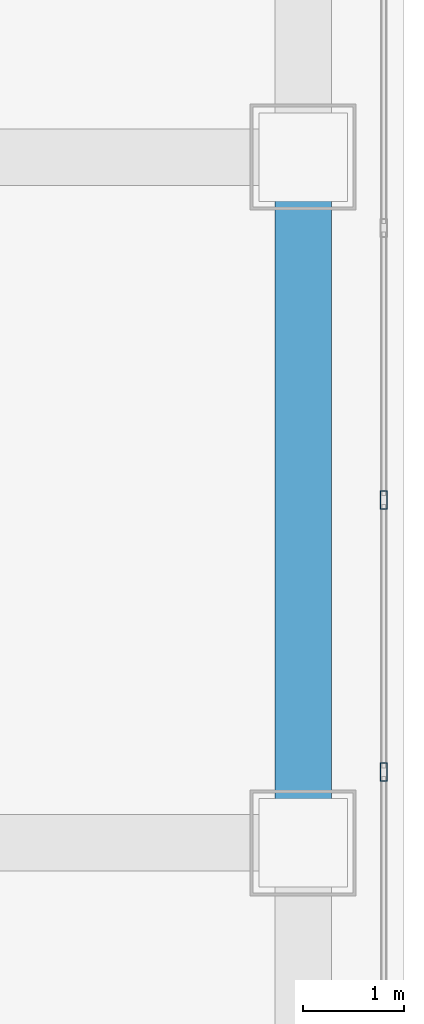
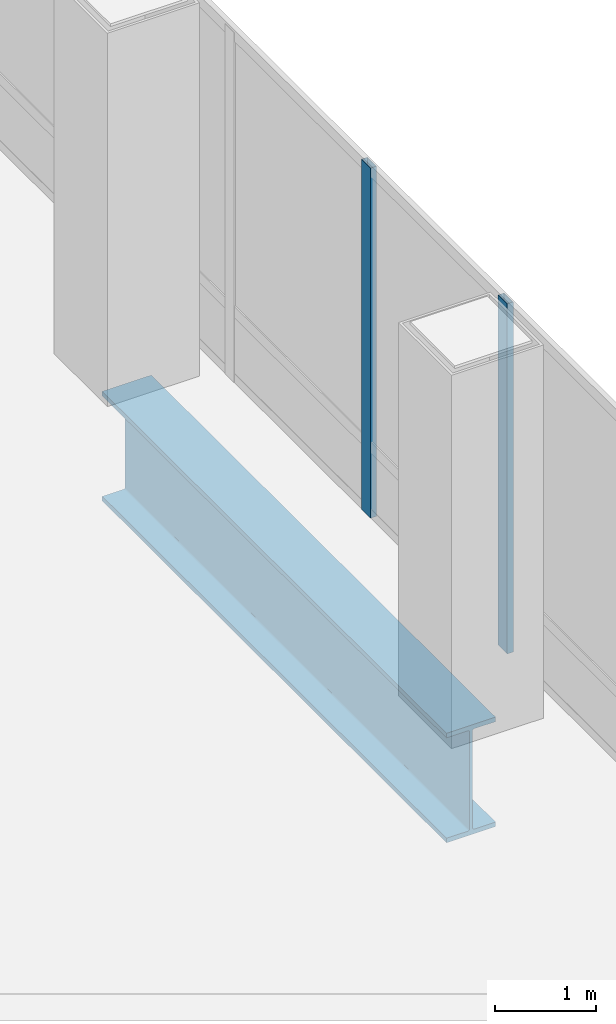
# One storey, part 16 of 33: 2 members, 1 beam, 1 element without a shape of its own.
"""IFC4 building model written with IfcOpenShell, lengths in metres."""

from ifc_helpers import new_model, si_unit, direction, frame, origin, origin_2d, place, context, subcontext, project, spatial, hollow_rectangle, i_section, extrude, material, material_profile, profile_set, type_object, element, aggregate, save


model = new_model("IFC4")

# Units and contexts
model_context = context("Model", 3, precision=1e-05, world=origin(), true_north=direction((0.0, 1.0)))
body_context = subcontext(model_context, "Body", "Model", "MODEL_VIEW")
ifc_project = project(units=[si_unit("LENGTHUNIT", "METRE"), si_unit("AREAUNIT", "SQUARE_METRE"), si_unit("VOLUMEUNIT", "CUBIC_METRE"), si_unit("PLANEANGLEUNIT", "RADIAN"), si_unit("MASSUNIT", "GRAM", prefix="KILO")], contexts=[model_context])

# Site, building, storey
site_placement = place(None, origin())
site = spatial("IfcSite", under=ifc_project, at=site_placement, CompositionType="ELEMENT")
building_placement = place(site_placement, origin())
building = spatial("IfcBuilding", under=site, at=building_placement, Name="Punatoya Terracotta Tower", CompositionType="ELEMENT")
storey_placement = place(building_placement, frame((0.0, 0.0, 348.300048828125)))
storey = spatial("IfcBuildingStorey", under=building, at=storey_placement, Name="L82", CompositionType="ELEMENT", Elevation=348.300048828125)

# Beam
ifc_material_1 = material(Name="Steel S460", Category="steel")
ifc_material_profile_1 = material_profile(ifc_material_1, i_section(OverallWidth=0.56005859375, OverallDepth=1.320068359375, WebThickness=0.035888671875, FlangeThickness=0.054931640625, FilletRadius=0.01806640625, at=origin_2d()))
ifc_profile_set_1 = profile_set([ifc_material_profile_1], Name="Steel S460")
beam_type = type_object("IfcBeamType", Name="BM-TG-BLK", PredefinedType="BEAM", material=ifc_profile_set_1)
beam_placement = place(storey_placement, frame((19.10009765625, -3.39990234375, -0.880126953125), z_axis=(0.0, 1.0, 0.0), x_axis=(-1.0, 0.0, 0.0)))
element("IfcBeam", 1, at=beam_placement, inside=storey, type_object=beam_type, Name="BM-L82-RG-E2", PredefinedType="BEAM", context=body_context, shape_type="SweptSolid", body=[
    extrude(i_section(OverallWidth=0.56005859375, OverallDepth=1.320068359375, WebThickness=0.035888671875, FlangeThickness=0.054931640625, FilletRadius=0.01806640625, at=origin_2d()), origin(), (0.0, 0.0, 1.0), 6.7998046875),
])

# Curtain wall, members
ifc_material_2 = material(Name="Aluminium 6063-T6 + Double Low-E Glass", Category="aluminium")
curtain_wall_type = type_object("IfcCurtainWallType", Name="CW-CRN", PredefinedType="NOTDEFINED", material=ifc_material_2)
curtain_wall_placement = place(storey_placement, origin())
curtain_wall = element("IfcCurtainWall", 2, at=curtain_wall_placement, inside=storey, type_object=curtain_wall_type, Name="L82 Curtain Wall CW-L82-E05-1", PredefinedType="NOTDEFINED")
ifc_material_3 = material(Name="Aluminium 6063-T6", Category="aluminium")
ifc_material_profile_2 = material_profile(ifc_material_3, hollow_rectangle(XDim=0.070068359375, YDim=0.179931640625, WallThickness=0.00390625, at=origin_2d()))
ifc_profile_set_2 = profile_set([ifc_material_profile_2], Name="Aluminium 6063-T6")
member_type = type_object("IfcMemberType", Name="CW-MUL-M3", PredefinedType="MULLION", material=ifc_profile_set_2)
member_1_placement = place(storey_placement, frame((19.89990234375, -2.69775390625, 0.0), z_axis=(0.0, 0.0, 1.0), x_axis=(1.0, 0.0, 0.0)))
member_1 = element("IfcMember", 3, at=member_1_placement, type_object=member_type, Name="CW-L82-E05-1 Mullion 05", PredefinedType="MULLION", context=body_context, shape_type="SweptSolid", body=[
    extrude(hollow_rectangle(XDim=0.070068359375, YDim=0.179931640625, WallThickness=0.00390625, at=origin_2d()), origin(), (0.0, 0.0, 1.0), 4.219970703125),
])
member_2_placement = place(storey_placement, frame((19.89990234375, 0.0, 0.0), z_axis=(0.0, 0.0, 1.0), x_axis=(1.0, 0.0, 0.0)))
member_2 = element("IfcMember", 4, at=member_2_placement, type_object=member_type, Name="CW-L82-E05-1 Mullion 06", PredefinedType="MULLION", context=body_context, shape_type="SweptSolid", body=[
    extrude(hollow_rectangle(XDim=0.070068359375, YDim=0.179931640625, WallThickness=0.00390625, at=origin_2d()), origin(), (0.0, 0.0, 1.0), 4.219970703125),
])
aggregate(curtain_wall, [member_1, member_2])

save(model, "model.ifc")
